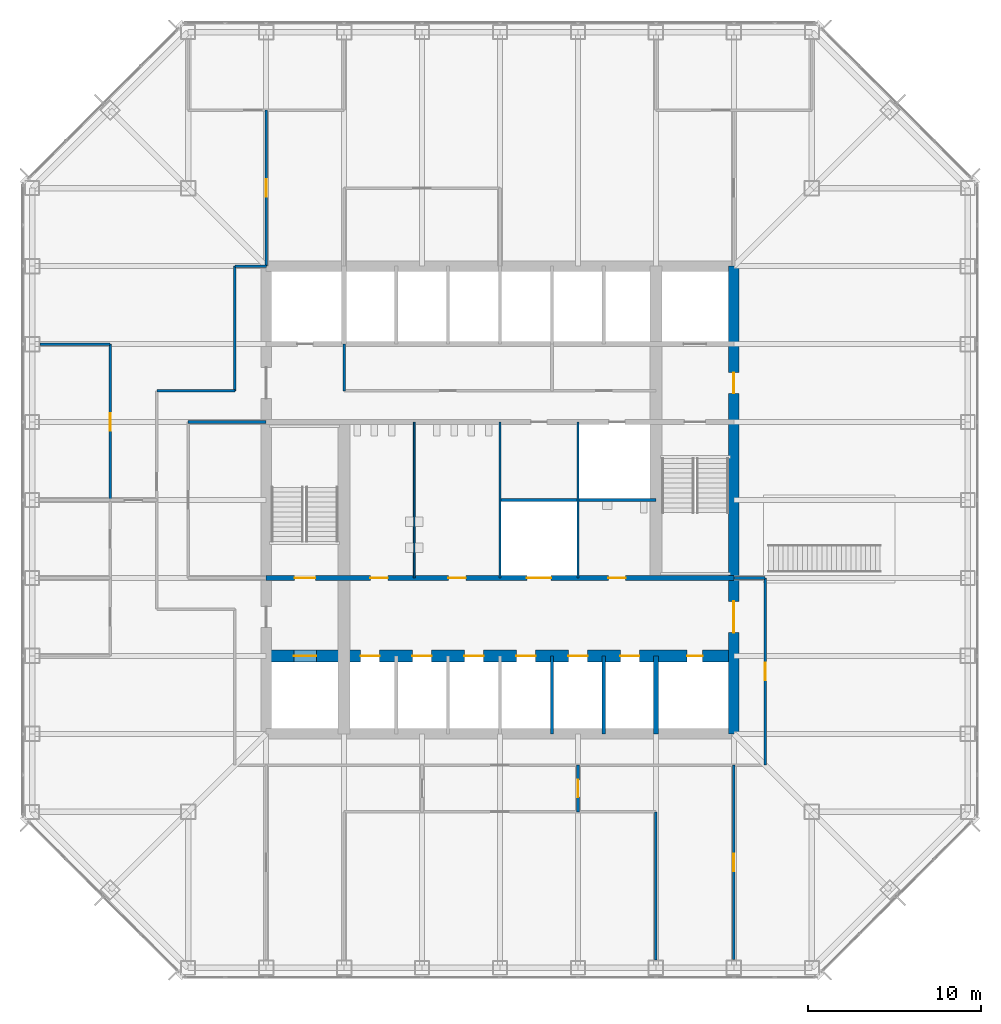
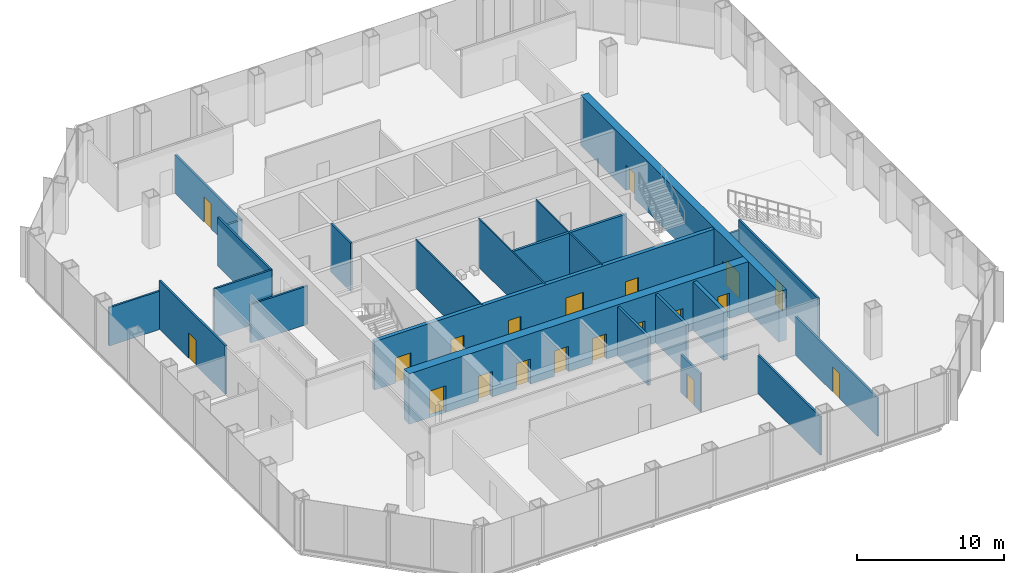
# One storey, part 9 of 12: 23 walls, 20 doors, 20 openings.
"""IFC4 building model written with IfcOpenShell, lengths in metres."""

import ifcopenshell
import ifcopenshell.guid

model = None  # the IFC model being written
_history = None  # IfcOwnerHistory: only IFC2X3 demands one
_inside = {}  # id of a spatial element -> (the spatial element, [elements in it])
_under = {}  # id of a project, library or spatial element -> (it, [spatial elements below it])
_declared = {}  # id of a project -> (the project, [libraries it declares])
_typed = {}  # id of a type object -> (the type object, [elements of that type])
_made_of = {}  # id of a material, layer set ... -> (it, [elements and type objects made of it])


def new_model(schema):
    """Start an empty IFC model of exactly this schema.

    Asked for "IFC4X3", IfcOpenShell would pick the latest addendum, in which some entities
    have other attributes; the version numbers below select the first issue.
    IFC2X3 requires an IfcOwnerHistory on every rooted entity: one is made here for all.
    """
    global model, _history
    if schema == "IFC4X3":
        model = ifcopenshell.file(schema_version=(4, 3, 0, 0))
    else:
        model = ifcopenshell.file(schema=schema)
    _inside.clear()
    _under.clear()
    _declared.clear()
    _typed.clear()
    _made_of.clear()
    _history = None
    if model.schema == "IFC2X3":
        org = make("IfcOrganization", Name="unknown")
        user = make(
            "IfcPersonAndOrganization",
            ThePerson=make("IfcPerson", FamilyName="unknown"),
            TheOrganization=org,
        )
        app = make(
            "IfcApplication",
            ApplicationDeveloper=org,
            Version="unknown",
            ApplicationFullName="unknown",
            ApplicationIdentifier="unknown",
        )
        _history = make(
            "IfcOwnerHistory",
            OwningUser=user,
            OwningApplication=app,
            ChangeAction="ADDED",
            CreationDate=0,
        )
    return model


def make(cls, **values):
    """One entity of the class cls with the attributes given. An attribute that is None is left unset."""
    return model.create_entity(
        cls, **{name: value for name, value in values.items() if value is not None}
    )


def rooted(cls, **values):
    """An entity with a GlobalId (a new one), such as an element, a storey or a relation."""
    return make(cls, GlobalId=ifcopenshell.guid.new(), OwnerHistory=_history, **values)


def si_unit(unit_type, name, prefix=None):
    """IfcSIUnit, for example si_unit("LENGTHUNIT", "METRE", prefix="MILLI")."""
    return make("IfcSIUnit", UnitType=unit_type, Prefix=prefix, Name=name)


def assignment(units):
    """IfcUnitAssignment: the units of a project."""
    return None if units is None else make("IfcUnitAssignment", Units=units)


def point(xyz):
    """IfcCartesianPoint."""
    return None if xyz is None else make("IfcCartesianPoint", Coordinates=xyz)


def direction(xyz):
    """IfcDirection."""
    return None if xyz is None else make("IfcDirection", DirectionRatios=xyz)


def frame(location, z_axis=None, x_axis=None):
    """IfcAxis2Placement3D, a coordinate frame: its origin and axes. An axis left out is left unset."""
    return make(
        "IfcAxis2Placement3D",
        Location=point(location),
        Axis=direction(z_axis),
        RefDirection=direction(x_axis),
    )


def frame_2d(location, x_axis=None):
    """IfcAxis2Placement2D, a coordinate frame in the plane: its origin and x axis."""
    return make(
        "IfcAxis2Placement2D", Location=point(location), RefDirection=direction(x_axis)
    )


def origin():
    """The frame at (0, 0, 0) with its axes left unset."""
    return frame((0.0, 0.0, 0.0))


def place(relative_to, where):
    """IfcLocalPlacement: puts the frame where relative to a parent placement (None: the world)."""
    return make(
        "IfcLocalPlacement", PlacementRelTo=relative_to, RelativePlacement=where
    )


def context(
    kind, dimensions, precision=None, world=None, true_north=None, identifier=None
):
    """IfcGeometricRepresentationContext, for example the 3D "Model" context."""
    return make(
        "IfcGeometricRepresentationContext",
        ContextIdentifier=identifier,
        ContextType=kind,
        CoordinateSpaceDimension=dimensions,
        Precision=precision,
        WorldCoordinateSystem=world,
        TrueNorth=true_north,
    )


def subcontext(parent, identifier, kind, view, scale=None):
    """IfcGeometricRepresentationSubContext, for example "Body" below "Model"."""
    return make(
        "IfcGeometricRepresentationSubContext",
        ContextIdentifier=identifier,
        ContextType=kind,
        ParentContext=parent,
        TargetScale=scale,
        TargetView=view,
    )


def project(units=None, contexts=None):
    """IfcProject with its units and contexts."""
    return rooted(
        "IfcProject",
        Name="project",
        RepresentationContexts=contexts,
        UnitsInContext=assignment(units),
    )


def spatial(cls, under=None, at=None, **own):
    """A site, building, storey or space (cls), placed at a placement, below another one or the project."""
    s = rooted(cls, ObjectPlacement=at, **own)
    if under is not None:
        _under.setdefault(under.id(), (under, []))[1].append(s)
    return s


def profile(cls, at=None, kind="AREA", **sizes):
    """A parametric profile (cls). Its sizes go by their IFC names, for example OverallWidth=200.0."""
    return make(cls, ProfileType=kind, Position=at, **sizes)


def rectangle(**sizes):
    """IfcRectangleProfileDef."""
    return profile("IfcRectangleProfileDef", **sizes)


def extrude(swept, where, along, depth):
    """IfcExtrudedAreaSolid: the profile swept, set in the frame where, extruded along a direction by depth."""
    return make(
        "IfcExtrudedAreaSolid",
        SweptArea=swept,
        Position=where,
        ExtrudedDirection=direction(along),
        Depth=depth,
    )


def shape(context_of_items, identifier, shape_type, items):
    """IfcShapeRepresentation: the items that make up one representation, for example the "Body"."""
    return make(
        "IfcShapeRepresentation",
        ContextOfItems=context_of_items,
        RepresentationIdentifier=identifier,
        RepresentationType=shape_type,
        Items=items,
    )


def material(Name=None, Category=None):
    """IfcMaterial."""
    return make("IfcMaterial", Name=Name, Category=Category)


def layer(
    of_material, thickness, ventilated=None, Name=None, Category=None, Priority=None
):
    """IfcMaterialLayer: one layer of a wall or slab, of a material (None: an air gap)."""
    return make(
        "IfcMaterialLayer",
        Material=of_material,
        LayerThickness=thickness,
        IsVentilated=ventilated,
        Name=Name,
        Category=Category,
        Priority=Priority,
    )


def layer_set(layers, Name=None):
    """IfcMaterialLayerSet."""
    return make("IfcMaterialLayerSet", MaterialLayers=layers, LayerSetName=Name)


def made_of(thing, what):
    """Note that an element or type object is made of a material, layer set ...; save() writes the relation."""
    if what is not None:
        _made_of.setdefault(what.id(), (what, []))[1].append(thing)
    return thing


def type_object(cls, material=None, **own):
    """A type object (cls), such as IfcWallType, which elements share."""
    return made_of(rooted(cls, **own), material)


def element(
    cls,
    number,
    at=None,
    inside=None,
    cuts=None,
    type_object=None,
    material=None,
    context=None,
    identifier="Body",
    shape_type=None,
    held_by="IfcProductDefinitionShape",
    body=None,
    shapes=None,
    **own,
):
    """One element of the class cls, such as IfcWall. Its Tag is "e" and its number.

    at: its placement. inside: the storey or other place that contains it. cuts: it is an
    opening in that element (IfcRelVoidsElement). A single representation is given by context,
    identifier, shape_type and body (its items); several are given by shapes. held_by: the class
    of the entity that holds the representations. save() writes the other relations.
    """
    e = rooted(cls, Tag="e%d" % number, ObjectPlacement=at, **own)
    if body is not None:
        shapes = [shape(context, identifier, shape_type, body)]
    if shapes is not None:
        e.Representation = make(held_by, Representations=shapes)
    if inside is not None:
        _inside.setdefault(inside.id(), (inside, []))[1].append(e)
    if cuts is not None:
        rooted(
            "IfcRelVoidsElement", RelatingBuildingElement=cuts, RelatedOpeningElement=e
        )
    if type_object is not None:
        _typed.setdefault(type_object.id(), (type_object, []))[1].append(e)
    return made_of(e, material)


def fill(opening, filler):
    """IfcRelFillsElement: the door or window that sits in an opening."""
    return rooted(
        "IfcRelFillsElement",
        RelatingOpeningElement=opening,
        RelatedBuildingElement=filler,
    )


def aggregate(whole, parts):
    """IfcRelAggregates: a whole, such as a stair, and the parts it consists of."""
    return rooted("IfcRelAggregates", RelatingObject=whole, RelatedObjects=parts)


def save(model, path):
    """Write the relations noted so far, then the file.

    IfcRelAggregates (storeys below a building ...), IfcRelContainedInSpatialStructure (elements
    in a storey), IfcRelDefinesByType, IfcRelAssociatesMaterial and IfcRelDeclares: one each for
    every whole, place, type object, material and project.
    """
    for whole, parts in _under.values():
        aggregate(whole, parts)
    for where, things in _inside.values():
        rooted(
            "IfcRelContainedInSpatialStructure",
            RelatedElements=things,
            RelatingStructure=where,
        )
    for kind, things in _typed.values():
        rooted("IfcRelDefinesByType", RelatedObjects=things, RelatingType=kind)
    for what, things in _made_of.values():
        rooted("IfcRelAssociatesMaterial", RelatedObjects=things, RelatingMaterial=what)
    for by, libraries in _declared.values():
        rooted("IfcRelDeclares", RelatingContext=by, RelatedDefinitions=libraries)
    model.write(path)


model = new_model("IFC4")

# Units and contexts
model_context = context("Model", 3, precision=1e-05, world=origin(), true_north=direction((0.0, 1.0)))
body_context = subcontext(model_context, "Body", "Model", "MODEL_VIEW")
ifc_project = project(units=[si_unit("LENGTHUNIT", "METRE"), si_unit("AREAUNIT", "SQUARE_METRE"), si_unit("VOLUMEUNIT", "CUBIC_METRE"), si_unit("PLANEANGLEUNIT", "RADIAN"), si_unit("MASSUNIT", "GRAM", prefix="KILO")], contexts=[model_context])

# Site, building, storey
site_placement = place(None, origin())
site = spatial("IfcSite", under=ifc_project, at=site_placement, CompositionType="ELEMENT")
building_placement = place(site_placement, origin())
building = spatial("IfcBuilding", under=site, at=building_placement, Name="Corais Broadcast Tower", CompositionType="ELEMENT")
storey_placement = place(building_placement, frame((0.0, 0.0, 29.0)))
storey = spatial("IfcBuildingStorey", under=building, at=storey_placement, Name="L05", CompositionType="ELEMENT", Elevation=29.0)

# Wall
ifc_material_1 = material(Name="Concrete blockwork class A, grouted, two-hour", Category="masonry")
ifc_layer_1 = layer(ifc_material_1, 0.300048828125)
ifc_layer_set_1 = layer_set([ifc_layer_1], Name="Concrete blockwork class A, grouted, two-hour")
wall_type_1 = type_object("IfcWallType", Name="Core lobby wall 300", PredefinedType="SOLIDWALL", material=ifc_layer_set_1)
wall_1_placement = place(storey_placement, frame((36.0, 13.5, 0.0), z_axis=(0.0, 0.0, 1.0), x_axis=(0.0, 1.0, 0.0)))
element("IfcWall", 1, at=wall_1_placement, inside=storey, type_object=wall_type_1, Name="CL1 core shaft wall X36A L05", PredefinedType="SOLIDWALL", context=body_context, shape_type="SweptSolid", body=[
    extrude(rectangle(XDim=4.5, YDim=0.300048828125, at=frame_2d((2.25, 0.0))), origin(), (0.0, 0.0, 1.0), 4.0400390625),
])

# Wall, openings, doors
wall_2_placement = place(storey_placement, frame((13.5, 22.5, 0.0), z_axis=(0.0, 0.0, 1.0), x_axis=(1.0, 0.0, 0.0)))
wall_2 = element("IfcWall", 2, at=wall_2_placement, inside=storey, type_object=wall_type_1, Name="CL1 core lobby wall Y225 L05", PredefinedType="SOLIDWALL", context=body_context, shape_type="SweptSolid", body=[
    extrude(rectangle(XDim=27.0, YDim=0.300048828125, at=frame_2d((13.5, 0.0))), origin(), (0.0, 0.0, 1.0), 4.0400390625),
])
opening_1_placement = place(wall_2_placement, frame((1.64990234375, 0.0, 0.0)))
opening_1 = element("IfcOpeningElement", 3, at=opening_1_placement, cuts=wall_2, Name="Opening FD1", PredefinedType="OPENING", context=body_context, shape_type="SweptSolid", body=[
    extrude(rectangle(XDim=1.199951171875, YDim=2.10009765625, at=frame_2d((0.60009765625, 1.050048828125))), frame((0.0, 0.159912109375, 0.0), z_axis=(0.0, -1.0, 0.0), x_axis=(1.0, 0.0, 0.0)), (0.0, 0.0, 1.0), 0.320068359375),
])
opening_2_placement = place(wall_2_placement, frame((6.02490234375, 0.0, 0.0)))
opening_2 = element("IfcOpeningElement", 4, at=opening_2_placement, cuts=wall_2, Name="Opening WD1", PredefinedType="OPENING", context=body_context, shape_type="SweptSolid", body=[
    extrude(rectangle(XDim=1.0, YDim=2.10009765625, at=frame_2d((0.5, 1.050048828125))), frame((0.0, 0.159912109375, 0.0), z_axis=(0.0, -1.0, 0.0), x_axis=(1.0, 0.0, 0.0)), (0.0, 0.0, 1.0), 0.320068359375),
])
opening_3_placement = place(wall_2_placement, frame((10.52490234375, 0.0, 0.0)))
opening_3 = element("IfcOpeningElement", 5, at=opening_3_placement, cuts=wall_2, Name="Opening WD1", PredefinedType="OPENING", context=body_context, shape_type="SweptSolid", body=[
    extrude(rectangle(XDim=1.0, YDim=2.10009765625, at=frame_2d((0.5, 1.050048828125))), frame((0.0, 0.159912109375, 0.0), z_axis=(0.0, -1.0, 0.0), x_axis=(1.0, 0.0, 0.0)), (0.0, 0.0, 1.0), 0.320068359375),
])
opening_4_placement = place(wall_2_placement, frame((19.75, 0.0, 0.0)))
opening_4 = element("IfcOpeningElement", 6, at=opening_4_placement, cuts=wall_2, Name="Opening WD1", PredefinedType="OPENING", context=body_context, shape_type="SweptSolid", body=[
    extrude(rectangle(XDim=1.0, YDim=2.10009765625, at=frame_2d((0.5, 1.050048828125))), frame((0.0, 0.159912109375, 0.0), z_axis=(0.0, -1.0, 0.0), x_axis=(1.0, 0.0, 0.0)), (0.0, 0.0, 1.0), 0.320068359375),
])
opening_5_placement = place(wall_2_placement, frame((15.050048828125, 0.0, 0.0)))
opening_5 = element("IfcOpeningElement", 7, at=opening_5_placement, cuts=wall_2, Name="Opening LD3", PredefinedType="OPENING", context=body_context, shape_type="SweptSolid", body=[
    extrude(rectangle(XDim=1.39990234375, YDim=2.39990234375, at=frame_2d((0.699951171875, 1.199951171875))), frame((0.0, 0.159912109375, 0.0), z_axis=(0.0, -1.0, 0.0), x_axis=(1.0, 0.0, 0.0)), (0.0, 0.0, 1.0), 0.320068359375),
])
ifc_material_2 = material(Name="Steel fire door", Category="steel")
door_type_1 = type_object("IfcDoorType", Name="Fire door 1200x2100", OperationType="SINGLE_SWING_LEFT", PredefinedType="DOOR", material=ifc_material_2)
door_1_placement = place(opening_1_placement, origin())
door_1 = element("IfcDoor", 8, at=door_1_placement, inside=storey, type_object=door_type_1, Name="FD1 stair A door L05", OperationType="SINGLE_SWING_LEFT", OverallHeight=2.10009765625, OverallWidth=1.199951171875, PredefinedType="DOOR", context=body_context, shape_type="SweptSolid", body=[
    extrude(rectangle(XDim=1.199951171875, YDim=2.10009765625, at=frame_2d((0.60009765625, 1.050048828125))), frame((0.0, 0.02490234375, 0.0), z_axis=(0.0, -1.0, 0.0), x_axis=(1.0, 0.0, 0.0)), (0.0, 0.0, 1.0), 0.050048828125),
])
fill(opening_1, door_1)
ifc_material_3 = material(Name="Stainless steel lift door", Category="steel")
door_type_2 = type_object("IfcDoorType", Name="Service lift landing door 1400x2400", OperationType="SLIDING_TO_LEFT", PredefinedType="DOOR", material=ifc_material_3)
door_2_placement = place(opening_5_placement, origin())
door_2 = element("IfcDoor", 9, at=door_2_placement, inside=storey, type_object=door_type_2, Name="LD3 SL1 landing door L05", OperationType="SLIDING_TO_LEFT", OverallHeight=2.39990234375, OverallWidth=1.39990234375, PredefinedType="DOOR", context=body_context, shape_type="SweptSolid", body=[
    extrude(rectangle(XDim=1.39990234375, YDim=2.39990234375, at=frame_2d((0.699951171875, 1.199951171875))), frame((0.0, 0.02490234375, 0.0), z_axis=(0.0, -1.0, 0.0), x_axis=(1.0, 0.0, 0.0)), (0.0, 0.0, 1.0), 0.050048828125),
])
fill(opening_5, door_2)
ifc_material_4 = material(Name="Timber door", Category="wood")
door_type_3 = type_object("IfcDoorType", Name="Toilet door 1000x2100", OperationType="SINGLE_SWING_LEFT", PredefinedType="DOOR", material=ifc_material_4)
door_3_placement = place(opening_2_placement, origin())
door_3 = element("IfcDoor", 10, at=door_3_placement, inside=storey, type_object=door_type_3, Name="WD1 WC male door L05", OperationType="SINGLE_SWING_LEFT", OverallHeight=2.10009765625, OverallWidth=1.0, PredefinedType="DOOR", context=body_context, shape_type="SweptSolid", body=[
    extrude(rectangle(XDim=1.0, YDim=2.10009765625, at=frame_2d((0.5, 1.050048828125))), frame((0.0, 0.02490234375, 0.0), z_axis=(0.0, -1.0, 0.0), x_axis=(1.0, 0.0, 0.0)), (0.0, 0.0, 1.0), 0.050048828125),
])
fill(opening_2, door_3)
door_4_placement = place(opening_3_placement, origin())
door_4 = element("IfcDoor", 11, at=door_4_placement, inside=storey, type_object=door_type_3, Name="WD1 WC female door L05", OperationType="SINGLE_SWING_LEFT", OverallHeight=2.10009765625, OverallWidth=1.0, PredefinedType="DOOR", context=body_context, shape_type="SweptSolid", body=[
    extrude(rectangle(XDim=1.0, YDim=2.10009765625, at=frame_2d((0.5, 1.050048828125))), frame((0.0, 0.02490234375, 0.0), z_axis=(0.0, -1.0, 0.0), x_axis=(1.0, 0.0, 0.0)), (0.0, 0.0, 1.0), 0.050048828125),
])
fill(opening_3, door_4)
door_5_placement = place(opening_4_placement, origin())
door_5 = element("IfcDoor", 12, at=door_5_placement, inside=storey, type_object=door_type_3, Name="WD1 accessible WC door L05", OperationType="SINGLE_SWING_RIGHT", OverallHeight=2.10009765625, OverallWidth=1.0, PredefinedType="DOOR", context=body_context, shape_type="SweptSolid", body=[
    extrude(rectangle(XDim=1.0, YDim=2.10009765625, at=frame_2d((0.5, 1.050048828125))), frame((0.0, 0.02490234375, 0.0), z_axis=(0.0, -1.0, 0.0), x_axis=(1.0, 0.0, 0.0)), (0.0, 0.0, 1.0), 0.050048828125),
])
fill(opening_4, door_5)

ifc_material_5 = material(Name="Concrete C50/60", Category="concrete")
ifc_layer_2 = layer(ifc_material_5, 0.699951171875)
ifc_layer_set_2 = layer_set([ifc_layer_2], Name="Concrete C50/60")
wall_type_2 = type_object("IfcWallType", Name="Core spine wall 700", PredefinedType="SHEAR", material=ifc_layer_set_2)
wall_3_placement = place(storey_placement, frame((13.5, 18.0, 0.0), z_axis=(0.0, 0.0, 1.0), x_axis=(1.0, 0.0, 0.0)))
wall_3 = element("IfcWall", 13, at=wall_3_placement, inside=storey, type_object=wall_type_2, Name="CR700 core wall Y18 L05", PredefinedType="SHEAR", context=body_context, shape_type="SweptSolid", body=[
    extrude(rectangle(XDim=27.0, YDim=0.699951171875, at=frame_2d((13.5, 0.0))), origin(), (0.0, 0.0, 1.0), 4.199951171875),
])
opening_6_placement = place(wall_3_placement, frame((24.300048828125, 0.0, 0.0)))
opening_6 = element("IfcOpeningElement", 14, at=opening_6_placement, cuts=wall_3, Name="Opening RD1", PredefinedType="OPENING", context=body_context, shape_type="SweptSolid", body=[
    extrude(rectangle(XDim=0.89990234375, YDim=2.10009765625, at=frame_2d((0.449951171875, 1.050048828125))), frame((0.0, 0.35986328125, 0.0), z_axis=(0.0, -1.0, 0.0), x_axis=(1.0, 0.0, 0.0)), (0.0, 0.0, 1.0), 0.719970703125),
])
opening_7_placement = place(wall_3_placement, frame((5.449951171875, 0.0, 0.0)))
opening_7 = element("IfcOpeningElement", 15, at=opening_7_placement, cuts=wall_3, Name="Opening LD1", PredefinedType="OPENING", context=body_context, shape_type="SweptSolid", body=[
    extrude(rectangle(XDim=1.10009765625, YDim=2.10009765625, at=frame_2d((0.550048828125, 1.050048828125))), frame((0.0, 0.35986328125, 0.0), z_axis=(0.0, -1.0, 0.0), x_axis=(1.0, 0.0, 0.0)), (0.0, 0.0, 1.0), 0.719970703125),
])
opening_8_placement = place(wall_3_placement, frame((8.449951171875, 0.0, 0.0)))
opening_8 = element("IfcOpeningElement", 16, at=opening_8_placement, cuts=wall_3, Name="Opening LD1", PredefinedType="OPENING", context=body_context, shape_type="SweptSolid", body=[
    extrude(rectangle(XDim=1.10009765625, YDim=2.10009765625, at=frame_2d((0.550048828125, 1.050048828125))), frame((0.0, 0.35986328125, 0.0), z_axis=(0.0, -1.0, 0.0), x_axis=(1.0, 0.0, 0.0)), (0.0, 0.0, 1.0), 0.719970703125),
])
opening_9_placement = place(wall_3_placement, frame((11.449951171875, 0.0, 0.0)))
opening_9 = element("IfcOpeningElement", 17, at=opening_9_placement, cuts=wall_3, Name="Opening LD1", PredefinedType="OPENING", context=body_context, shape_type="SweptSolid", body=[
    extrude(rectangle(XDim=1.10009765625, YDim=2.10009765625, at=frame_2d((0.550048828125, 1.050048828125))), frame((0.0, 0.35986328125, 0.0), z_axis=(0.0, -1.0, 0.0), x_axis=(1.0, 0.0, 0.0)), (0.0, 0.0, 1.0), 0.719970703125),
])
opening_10_placement = place(wall_3_placement, frame((14.449951171875, 0.0, 0.0)))
opening_10 = element("IfcOpeningElement", 18, at=opening_10_placement, cuts=wall_3, Name="Opening LD1", PredefinedType="OPENING", context=body_context, shape_type="SweptSolid", body=[
    extrude(rectangle(XDim=1.10009765625, YDim=2.10009765625, at=frame_2d((0.550048828125, 1.050048828125))), frame((0.0, 0.35986328125, 0.0), z_axis=(0.0, -1.0, 0.0), x_axis=(1.0, 0.0, 0.0)), (0.0, 0.0, 1.0), 0.719970703125),
])
opening_11_placement = place(wall_3_placement, frame((17.449951171875, 0.0, 0.0)))
opening_11 = element("IfcOpeningElement", 19, at=opening_11_placement, cuts=wall_3, Name="Opening LD1", PredefinedType="OPENING", context=body_context, shape_type="SweptSolid", body=[
    extrude(rectangle(XDim=1.10009765625, YDim=2.10009765625, at=frame_2d((0.550048828125, 1.050048828125))), frame((0.0, 0.35986328125, 0.0), z_axis=(0.0, -1.0, 0.0), x_axis=(1.0, 0.0, 0.0)), (0.0, 0.0, 1.0), 0.719970703125),
])
opening_12_placement = place(wall_3_placement, frame((20.449951171875, 0.0, 0.0)))
opening_12 = element("IfcOpeningElement", 20, at=opening_12_placement, cuts=wall_3, Name="Opening LD1", PredefinedType="OPENING", context=body_context, shape_type="SweptSolid", body=[
    extrude(rectangle(XDim=1.10009765625, YDim=2.10009765625, at=frame_2d((0.550048828125, 1.050048828125))), frame((0.0, 0.35986328125, 0.0), z_axis=(0.0, -1.0, 0.0), x_axis=(1.0, 0.0, 0.0)), (0.0, 0.0, 1.0), 0.719970703125),
])
opening_13_placement = place(wall_3_placement, frame((1.60009765625, 0.0, 0.0)))
opening_13 = element("IfcOpeningElement", 21, at=opening_13_placement, cuts=wall_3, Name="Opening LD2", PredefinedType="OPENING", context=body_context, shape_type="SweptSolid", body=[
    extrude(rectangle(XDim=1.300048828125, YDim=2.199951171875, at=frame_2d((0.64990234375, 1.10009765625))), frame((0.0, 0.35986328125, 0.0), z_axis=(0.0, -1.0, 0.0), x_axis=(1.0, 0.0, 0.0)), (0.0, 0.0, 1.0), 0.719970703125),
])
ifc_material_6 = material(Name="Stainless steel lift door", Category="steel")
door_type_4 = type_object("IfcDoorType", Name="Lift landing door 1100x2100", OperationType="SLIDING_TO_LEFT", PredefinedType="DOOR", material=ifc_material_6)
door_6_placement = place(opening_7_placement, origin())
door_6 = element("IfcDoor", 22, at=door_6_placement, inside=storey, type_object=door_type_4, Name="LD1 PL1 landing door L05", OperationType="SLIDING_TO_LEFT", OverallHeight=2.10009765625, OverallWidth=1.10009765625, PredefinedType="DOOR", context=body_context, shape_type="SweptSolid", body=[
    extrude(rectangle(XDim=1.10009765625, YDim=2.10009765625, at=frame_2d((0.550048828125, 1.050048828125))), frame((0.0, 0.02490234375, 0.0), z_axis=(0.0, -1.0, 0.0), x_axis=(1.0, 0.0, 0.0)), (0.0, 0.0, 1.0), 0.050048828125),
])
fill(opening_7, door_6)
door_7_placement = place(opening_8_placement, origin())
door_7 = element("IfcDoor", 23, at=door_7_placement, inside=storey, type_object=door_type_4, Name="LD1 PL2 landing door L05", OperationType="SLIDING_TO_LEFT", OverallHeight=2.10009765625, OverallWidth=1.10009765625, PredefinedType="DOOR", context=body_context, shape_type="SweptSolid", body=[
    extrude(rectangle(XDim=1.10009765625, YDim=2.10009765625, at=frame_2d((0.550048828125, 1.050048828125))), frame((0.0, 0.02490234375, 0.0), z_axis=(0.0, -1.0, 0.0), x_axis=(1.0, 0.0, 0.0)), (0.0, 0.0, 1.0), 0.050048828125),
])
fill(opening_8, door_7)
door_8_placement = place(opening_9_placement, origin())
door_8 = element("IfcDoor", 24, at=door_8_placement, inside=storey, type_object=door_type_4, Name="LD1 PL3 landing door L05", OperationType="SLIDING_TO_LEFT", OverallHeight=2.10009765625, OverallWidth=1.10009765625, PredefinedType="DOOR", context=body_context, shape_type="SweptSolid", body=[
    extrude(rectangle(XDim=1.10009765625, YDim=2.10009765625, at=frame_2d((0.550048828125, 1.050048828125))), frame((0.0, 0.02490234375, 0.0), z_axis=(0.0, -1.0, 0.0), x_axis=(1.0, 0.0, 0.0)), (0.0, 0.0, 1.0), 0.050048828125),
])
fill(opening_9, door_8)
door_9_placement = place(opening_10_placement, origin())
door_9 = element("IfcDoor", 25, at=door_9_placement, inside=storey, type_object=door_type_4, Name="LD1 PL4 landing door L05", OperationType="SLIDING_TO_LEFT", OverallHeight=2.10009765625, OverallWidth=1.10009765625, PredefinedType="DOOR", context=body_context, shape_type="SweptSolid", body=[
    extrude(rectangle(XDim=1.10009765625, YDim=2.10009765625, at=frame_2d((0.550048828125, 1.050048828125))), frame((0.0, 0.02490234375, 0.0), z_axis=(0.0, -1.0, 0.0), x_axis=(1.0, 0.0, 0.0)), (0.0, 0.0, 1.0), 0.050048828125),
])
fill(opening_10, door_9)
door_10_placement = place(opening_11_placement, origin())
door_10 = element("IfcDoor", 26, at=door_10_placement, inside=storey, type_object=door_type_4, Name="LD1 PL5 landing door L05", OperationType="SLIDING_TO_LEFT", OverallHeight=2.10009765625, OverallWidth=1.10009765625, PredefinedType="DOOR", context=body_context, shape_type="SweptSolid", body=[
    extrude(rectangle(XDim=1.10009765625, YDim=2.10009765625, at=frame_2d((0.550048828125, 1.050048828125))), frame((0.0, 0.02490234375, 0.0), z_axis=(0.0, -1.0, 0.0), x_axis=(1.0, 0.0, 0.0)), (0.0, 0.0, 1.0), 0.050048828125),
])
fill(opening_11, door_10)
door_11_placement = place(opening_12_placement, origin())
door_11 = element("IfcDoor", 27, at=door_11_placement, inside=storey, type_object=door_type_4, Name="LD1 PL6 landing door L05", OperationType="SLIDING_TO_LEFT", OverallHeight=2.10009765625, OverallWidth=1.10009765625, PredefinedType="DOOR", context=body_context, shape_type="SweptSolid", body=[
    extrude(rectangle(XDim=1.10009765625, YDim=2.10009765625, at=frame_2d((0.550048828125, 1.050048828125))), frame((0.0, 0.02490234375, 0.0), z_axis=(0.0, -1.0, 0.0), x_axis=(1.0, 0.0, 0.0)), (0.0, 0.0, 1.0), 0.050048828125),
])
fill(opening_12, door_11)
ifc_material_7 = material(Name="Stainless steel lift door", Category="steel")
door_type_5 = type_object("IfcDoorType", Name="Lift landing door 1300x2200", OperationType="SLIDING_TO_LEFT", PredefinedType="DOOR", material=ifc_material_7)
door_12_placement = place(opening_13_placement, origin())
door_12 = element("IfcDoor", 28, at=door_12_placement, inside=storey, type_object=door_type_5, Name="LD2 FL1 landing door L05", OperationType="SLIDING_TO_LEFT", OverallHeight=2.199951171875, OverallWidth=1.300048828125, PredefinedType="DOOR", context=body_context, shape_type="SweptSolid", body=[
    extrude(rectangle(XDim=1.300048828125, YDim=2.199951171875, at=frame_2d((0.64990234375, 1.10009765625))), frame((0.0, 0.02490234375, 0.0), z_axis=(0.0, -1.0, 0.0), x_axis=(1.0, 0.0, 0.0)), (0.0, 0.0, 1.0), 0.050048828125),
])
fill(opening_13, door_12)
ifc_material_8 = material(Name="Steel fire door", Category="steel")
door_type_6 = type_object("IfcDoorType", Name="Riser door 900x2100", OperationType="SINGLE_SWING_LEFT", PredefinedType="DOOR", material=ifc_material_8)
door_13_placement = place(opening_6_placement, origin())
door_13 = element("IfcDoor", 29, at=door_13_placement, inside=storey, type_object=door_type_6, Name="RD1 riser door L05", OperationType="SINGLE_SWING_RIGHT", OverallHeight=2.10009765625, OverallWidth=0.89990234375, PredefinedType="DOOR", context=body_context, shape_type="SweptSolid", body=[
    extrude(rectangle(XDim=0.89990234375, YDim=2.10009765625, at=frame_2d((0.449951171875, 1.050048828125))), frame((0.0, 0.02490234375, 0.0), z_axis=(0.0, -1.0, 0.0), x_axis=(1.0, 0.0, 0.0)), (0.0, 0.0, 1.0), 0.050048828125),
])
fill(opening_6, door_13)

ifc_material_9 = material(Name="Concrete C50/60", Category="concrete")
ifc_layer_3 = layer(ifc_material_9, 0.60009765625)
ifc_layer_set_3 = layer_set([ifc_layer_3], Name="Concrete C50/60")
wall_type_3 = type_object("IfcWallType", Name="Core wall 600", PredefinedType="SHEAR", material=ifc_layer_set_3)
wall_4_placement = place(storey_placement, frame((40.5, 13.5, 0.0), z_axis=(0.0, 0.0, 1.0), x_axis=(0.0, 1.0, 0.0)))
wall_4 = element("IfcWall", 30, at=wall_4_placement, inside=storey, type_object=wall_type_3, Name="CR600 core wall E L05", PredefinedType="SHEAR", context=body_context, shape_type="SweptSolid", body=[
    extrude(rectangle(XDim=27.0, YDim=0.60009765625, at=frame_2d((13.5, 0.0))), origin(), (0.0, 0.0, 1.0), 4.199951171875),
])
opening_14_placement = place(wall_4_placement, frame((5.85009765625, 0.0, 0.0)))
opening_14 = element("IfcOpeningElement", 31, at=opening_14_placement, cuts=wall_4, Name="Opening FD2", PredefinedType="OPENING", context=body_context, shape_type="SweptSolid", body=[
    extrude(rectangle(XDim=1.800048828125, YDim=2.10009765625, at=frame_2d((0.89990234375, 1.050048828125))), frame((0.0, 0.31005859375, 0.0), z_axis=(0.0, -1.0, 0.0), x_axis=(1.0, 0.0, 0.0)), (0.0, 0.0, 1.0), 0.6201171875),
])
opening_15_placement = place(wall_4_placement, frame((19.64990234375, 0.0, 0.0)))
opening_15 = element("IfcOpeningElement", 32, at=opening_15_placement, cuts=wall_4, Name="Opening FD1", PredefinedType="OPENING", context=body_context, shape_type="SweptSolid", body=[
    extrude(rectangle(XDim=1.199951171875, YDim=2.10009765625, at=frame_2d((0.60009765625, 1.050048828125))), frame((0.0, 0.31005859375, 0.0), z_axis=(0.0, -1.0, 0.0), x_axis=(1.0, 0.0, 0.0)), (0.0, 0.0, 1.0), 0.6201171875),
])
door_14_placement = place(opening_15_placement, origin())
door_14 = element("IfcDoor", 33, at=door_14_placement, inside=storey, type_object=door_type_1, Name="FD1 fire lobby B door L05", OperationType="SINGLE_SWING_RIGHT", OverallHeight=2.10009765625, OverallWidth=1.199951171875, PredefinedType="DOOR", context=body_context, shape_type="SweptSolid", body=[
    extrude(rectangle(XDim=1.199951171875, YDim=2.10009765625, at=frame_2d((0.60009765625, 1.050048828125))), frame((0.0, 0.02490234375, 0.0), z_axis=(0.0, -1.0, 0.0), x_axis=(1.0, 0.0, 0.0)), (0.0, 0.0, 1.0), 0.050048828125),
])
fill(opening_15, door_14)
ifc_material_10 = material(Name="Steel fire door", Category="steel")
door_type_7 = type_object("IfcDoorType", Name="Fire door pair 1800x2100", OperationType="DOUBLE_DOOR_SINGLE_SWING", PredefinedType="DOOR", material=ifc_material_10)
door_15_placement = place(opening_14_placement, origin())
door_15 = element("IfcDoor", 34, at=door_15_placement, inside=storey, type_object=door_type_7, Name="FD2 lift lobby door L05", OperationType="SINGLE_SWING_LEFT", OverallHeight=2.10009765625, OverallWidth=1.800048828125, PredefinedType="DOOR", context=body_context, shape_type="SweptSolid", body=[
    extrude(rectangle(XDim=1.800048828125, YDim=2.10009765625, at=frame_2d((0.89990234375, 1.050048828125))), frame((0.0, 0.02490234375, 0.0), z_axis=(0.0, -1.0, 0.0), x_axis=(1.0, 0.0, 0.0)), (0.0, 0.0, 1.0), 0.050048828125),
])
fill(opening_14, door_15)

# Wall
ifc_material_11 = material(Name="Two layers of fire-rated gypsum board each side on steel studs", Category="steel")
ifc_layer_4 = layer(ifc_material_11, 0.14990234375)
ifc_layer_set_4 = layer_set([ifc_layer_4], Name="Two layers of fire-rated gypsum board each side on steel studs")
wall_type_4 = type_object("IfcWallType", Name="Fire-rated partition 150 EI 60", PredefinedType="PARTITIONING", material=ifc_layer_set_4)
wall_5_placement = place(storey_placement, frame((18.0, 33.300048828125, 0.0), z_axis=(0.0, 0.0, 1.0), x_axis=(0.0, 1.0, 0.0)))
element("IfcWall", 35, at=wall_5_placement, inside=storey, type_object=wall_type_4, Name="IW7 partition L05", PredefinedType="PARTITIONING", context=body_context, shape_type="SweptSolid", body=[
    extrude(rectangle(XDim=2.699951171875, YDim=0.14990234375, at=frame_2d((1.35009765625, 0.0))), origin(), (0.0, 0.0, 1.0), 4.0400390625),
])

# Wall, opening, door
ifc_material_12 = material(Name="Gypsum board on steel studs", Category="steel")
ifc_layer_5 = layer(ifc_material_12, 0.14990234375)
ifc_layer_set_5 = layer_set([ifc_layer_5], Name="Gypsum board on steel studs")
wall_type_5 = type_object("IfcWallType", Name="Partition 150", PredefinedType="PARTITIONING", material=ifc_layer_set_5)
wall_6_placement = place(storey_placement, frame((42.300048828125, 11.699951171875, 0.0), z_axis=(0.0, 0.0, 1.0), x_axis=(0.0, 1.0, 0.0)))
wall_6 = element("IfcWall", 36, at=wall_6_placement, inside=storey, type_object=wall_type_5, Name="IW3 corridor wall L05", PredefinedType="PARTITIONING", context=body_context, shape_type="SweptSolid", body=[
    extrude(rectangle(XDim=10.800048828125, YDim=0.14990234375, at=frame_2d((5.39990234375, 0.0))), origin(), (0.0, 0.0, 1.0), 4.0400390625),
])
opening_16_placement = place(wall_6_placement, frame((4.89990234375, 0.0, 0.0)))
opening_16 = element("IfcOpeningElement", 37, at=opening_16_placement, cuts=wall_6, Name="Opening D1", PredefinedType="OPENING", context=body_context, shape_type="SweptSolid", body=[
    extrude(rectangle(XDim=1.0, YDim=2.10009765625, at=frame_2d((0.5, 1.050048828125))), frame((0.0, 0.0849609375, 0.0), z_axis=(0.0, -1.0, 0.0), x_axis=(1.0, 0.0, 0.0)), (0.0, 0.0, 1.0), 0.169921875),
])
ifc_material_13 = material(Name="Timber door", Category="wood")
door_type_8 = type_object("IfcDoorType", Name="Single door 1000x2100", OperationType="SINGLE_SWING_LEFT", PredefinedType="DOOR", material=ifc_material_13)
door_16_placement = place(opening_16_placement, origin())
door_16 = element("IfcDoor", 38, at=door_16_placement, inside=storey, type_object=door_type_8, Name="D1 workplace door L05", OperationType="SINGLE_SWING_LEFT", OverallHeight=2.10009765625, OverallWidth=1.0, PredefinedType="DOOR", context=body_context, shape_type="SweptSolid", body=[
    extrude(rectangle(XDim=1.0, YDim=2.10009765625, at=frame_2d((0.5, 1.050048828125))), frame((0.0, 0.02490234375, 0.0), z_axis=(0.0, -1.0, 0.0), x_axis=(1.0, 0.0, 0.0)), (0.0, 0.0, 1.0), 0.050048828125),
])
fill(opening_16, door_16)

# Walls
wall_7_placement = place(storey_placement, frame((11.699951171875, 40.5, 0.0), z_axis=(0.0, 0.0, 1.0), x_axis=(0.0, -1.0, 0.0)))
element("IfcWall", 39, at=wall_7_placement, inside=storey, type_object=wall_type_5, Name="IW3 corridor wall L05", PredefinedType="PARTITIONING", context=body_context, shape_type="SweptSolid", body=[
    extrude(rectangle(XDim=7.199951171875, YDim=0.14990234375, at=frame_2d((3.60009765625, 0.0))), origin(), (0.0, 0.0, 1.0), 4.0400390625),
])
wall_8_placement = place(storey_placement, frame((11.699951171875, 33.300048828125, 0.0), z_axis=(0.0, 0.0, 1.0), x_axis=(-1.0, 0.0, 0.0)))
element("IfcWall", 40, at=wall_8_placement, inside=storey, type_object=wall_type_5, Name="IW3 corridor wall L05", PredefinedType="PARTITIONING", context=body_context, shape_type="SweptSolid", body=[
    extrude(rectangle(XDim=4.5, YDim=0.14990234375, at=frame_2d((2.25, 0.0))), origin(), (0.0, 0.0, 1.0), 4.0400390625),
])
wall_9_placement = place(storey_placement, frame((13.510009765625, 40.5, 0.0), z_axis=(0.0, 0.0, 1.0), x_axis=(-1.0, 0.0, 0.0)))
element("IfcWall", 41, at=wall_9_placement, inside=storey, type_object=wall_type_5, Name="IW3 corridor wall L05", PredefinedType="PARTITIONING", context=body_context, shape_type="SweptSolid", body=[
    extrude(rectangle(XDim=1.81005859375, YDim=0.14990234375, at=frame_2d((0.905029296875, 0.0))), origin(), (0.0, 0.0, 1.0), 3.18896484375),
])
wall_10_placement = place(storey_placement, frame((42.300048828125, 22.5, 0.0), z_axis=(0.0, 0.0, 1.0), x_axis=(-1.0, 0.0, 0.0)))
element("IfcWall", 42, at=wall_10_placement, inside=storey, type_object=wall_type_5, Name="IW3 corridor wall L05", PredefinedType="PARTITIONING", context=body_context, shape_type="SweptSolid", body=[
    extrude(rectangle(XDim=1.800048828125, YDim=0.14990234375, at=frame_2d((0.89990234375, 0.0))), origin(), (0.0, 0.0, 1.0), 3.18896484375),
])
wall_11_placement = place(storey_placement, frame((36.0, 0.4599609375, 0.0), z_axis=(0.0, 0.0, 1.0), x_axis=(0.0, 1.0, 0.0)))
element("IfcWall", 43, at=wall_11_placement, inside=storey, type_object=wall_type_5, Name="IW3 partition L05", PredefinedType="PARTITIONING", context=body_context, shape_type="SweptSolid", body=[
    extrude(rectangle(XDim=8.5400390625, YDim=0.14990234375, at=frame_2d((4.27001953125, 0.0))), origin(), (0.0, 0.0, 1.0), 3.18896484375),
])

# Wall, opening, door
wall_12_placement = place(storey_placement, frame((4.5, 27.0, 0.0), z_axis=(0.0, 0.0, 1.0), x_axis=(0.0, 1.0, 0.0)))
wall_12 = element("IfcWall", 44, at=wall_12_placement, inside=storey, type_object=wall_type_5, Name="IW3 partition L05", PredefinedType="PARTITIONING", context=body_context, shape_type="SweptSolid", body=[
    extrude(rectangle(XDim=9.0, YDim=0.14990234375, at=frame_2d((4.5, 0.0))), origin(), (0.0, 0.0, 1.0), 4.0400390625),
])
opening_17_placement = place(wall_12_placement, frame((4.0, 0.0, 0.0)))
opening_17 = element("IfcOpeningElement", 45, at=opening_17_placement, cuts=wall_12, Name="Opening D1", PredefinedType="OPENING", context=body_context, shape_type="SweptSolid", body=[
    extrude(rectangle(XDim=1.0, YDim=2.10009765625, at=frame_2d((0.5, 1.050048828125))), frame((0.0, 0.0849609375, 0.0), z_axis=(0.0, -1.0, 0.0), x_axis=(1.0, 0.0, 0.0)), (0.0, 0.0, 1.0), 0.169921875),
])
door_17_placement = place(opening_17_placement, origin())
door_17 = element("IfcDoor", 46, at=door_17_placement, inside=storey, type_object=door_type_8, Name="D1 Planning desk office door", OperationType="SINGLE_SWING_LEFT", OverallHeight=2.10009765625, OverallWidth=1.0, PredefinedType="DOOR", context=body_context, shape_type="SweptSolid", body=[
    extrude(rectangle(XDim=1.0, YDim=2.10009765625, at=frame_2d((0.5, 1.050048828125))), frame((0.0, 0.02490234375, 0.0), z_axis=(0.0, -1.0, 0.0), x_axis=(1.0, 0.0, 0.0)), (0.0, 0.0, 1.0), 0.050048828125),
])
fill(opening_17, door_17)

# Walls
wall_13_placement = place(storey_placement, frame((4.5, 36.0, 0.0), z_axis=(0.0, 0.0, 1.0), x_axis=(-1.0, 0.0, 0.0)))
element("IfcWall", 47, at=wall_13_placement, inside=storey, type_object=wall_type_5, Name="IW3 partition L05", PredefinedType="PARTITIONING", context=body_context, shape_type="SweptSolid", body=[
    extrude(rectangle(XDim=4.0400390625, YDim=0.14990234375, at=frame_2d((2.02001953125, 0.0))), origin(), (0.0, 0.0, 1.0), 3.18896484375),
])
wall_14_placement = place(storey_placement, frame((13.5, 31.5, 0.0), z_axis=(0.0, 0.0, 1.0), x_axis=(-1.0, 0.0, 0.0)))
element("IfcWall", 48, at=wall_14_placement, inside=storey, type_object=wall_type_5, Name="IW3 partition L05", PredefinedType="PARTITIONING", context=body_context, shape_type="SweptSolid", body=[
    extrude(rectangle(XDim=4.5, YDim=0.14990234375, at=frame_2d((2.25, 0.0))), origin(), (0.0, 0.0, 1.0), 3.18896484375),
])

# Wall, opening, door
wall_15_placement = place(storey_placement, frame((13.5, 40.5, 0.0), z_axis=(0.0, 0.0, 1.0), x_axis=(0.0, 1.0, 0.0)))
wall_15 = element("IfcWall", 49, at=wall_15_placement, inside=storey, type_object=wall_type_5, Name="IW3 partition L05", PredefinedType="PARTITIONING", context=body_context, shape_type="SweptSolid", body=[
    extrude(rectangle(XDim=9.0, YDim=0.14990234375, at=frame_2d((4.5, 0.0))), origin(), (0.0, 0.0, 1.0), 3.18896484375),
])
opening_18_placement = place(wall_15_placement, frame((4.0, 0.0, 0.0)))
opening_18 = element("IfcOpeningElement", 50, at=opening_18_placement, cuts=wall_15, Name="Opening D1", PredefinedType="OPENING", context=body_context, shape_type="SweptSolid", body=[
    extrude(rectangle(XDim=1.0, YDim=2.10009765625, at=frame_2d((0.5, 1.050048828125))), frame((0.0, 0.0849609375, 0.0), z_axis=(0.0, -1.0, 0.0), x_axis=(1.0, 0.0, 0.0)), (0.0, 0.0, 1.0), 0.169921875),
])
door_18_placement = place(opening_18_placement, origin())
door_18 = element("IfcDoor", 51, at=door_18_placement, inside=storey, type_object=door_type_8, Name="D1 team room door L05", OperationType="SINGLE_SWING_LEFT", OverallHeight=2.10009765625, OverallWidth=1.0, PredefinedType="DOOR", context=body_context, shape_type="SweptSolid", body=[
    extrude(rectangle(XDim=1.0, YDim=2.10009765625, at=frame_2d((0.5, 1.050048828125))), frame((0.0, 0.02490234375, 0.0), z_axis=(0.0, -1.0, 0.0), x_axis=(1.0, 0.0, 0.0)), (0.0, 0.0, 1.0), 0.050048828125),
])
fill(opening_18, door_18)

wall_16_placement = place(storey_placement, frame((40.5, 0.469970703125, 0.0), z_axis=(0.0, 0.0, 1.0), x_axis=(0.0, 1.0, 0.0)))
wall_16 = element("IfcWall", 52, at=wall_16_placement, inside=storey, type_object=wall_type_5, Name="IW3 partition L05", PredefinedType="PARTITIONING", context=body_context, shape_type="SweptSolid", body=[
    extrude(rectangle(XDim=11.22998046875, YDim=0.14990234375, at=frame_2d((5.614990234375, 0.0))), origin(), (0.0, 0.0, 1.0), 3.18896484375),
])
opening_19_placement = place(wall_16_placement, frame((5.114990234375, 0.0, 0.0)))
opening_19 = element("IfcOpeningElement", 53, at=opening_19_placement, cuts=wall_16, Name="Opening D1", PredefinedType="OPENING", context=body_context, shape_type="SweptSolid", body=[
    extrude(rectangle(XDim=1.0, YDim=2.10009765625, at=frame_2d((0.5, 1.050048828125))), frame((0.0, 0.0849609375, 0.0), z_axis=(0.0, -1.0, 0.0), x_axis=(1.0, 0.0, 0.0)), (0.0, 0.0, 1.0), 0.169921875),
])
door_19_placement = place(opening_19_placement, origin())
door_19 = element("IfcDoor", 54, at=door_19_placement, inside=storey, type_object=door_type_8, Name="D1 team room door L05", OperationType="SINGLE_SWING_LEFT", OverallHeight=2.10009765625, OverallWidth=1.0, PredefinedType="DOOR", context=body_context, shape_type="SweptSolid", body=[
    extrude(rectangle(XDim=1.0, YDim=2.10009765625, at=frame_2d((0.5, 1.050048828125))), frame((0.0, 0.02490234375, 0.0), z_axis=(0.0, -1.0, 0.0), x_axis=(1.0, 0.0, 0.0)), (0.0, 0.0, 1.0), 0.050048828125),
])
fill(opening_19, door_19)

wall_17_placement = place(storey_placement, frame((31.5, 11.699951171875, 0.0), z_axis=(0.0, 0.0, 1.0), x_axis=(0.0, -1.0, 0.0)))
wall_17 = element("IfcWall", 55, at=wall_17_placement, inside=storey, type_object=wall_type_5, Name="IW3 partition L05", PredefinedType="PARTITIONING", context=body_context, shape_type="SweptSolid", body=[
    extrude(rectangle(XDim=2.699951171875, YDim=0.14990234375, at=frame_2d((1.35009765625, 0.0))), origin(), (0.0, 0.0, 1.0), 3.18896484375),
])
opening_20_placement = place(wall_17_placement, frame((0.85009765625, 0.0, 0.0)))
opening_20 = element("IfcOpeningElement", 56, at=opening_20_placement, cuts=wall_17, Name="Opening D1", PredefinedType="OPENING", context=body_context, shape_type="SweptSolid", body=[
    extrude(rectangle(XDim=1.0, YDim=2.10009765625, at=frame_2d((0.5, 1.050048828125))), frame((0.0, 0.0849609375, 0.0), z_axis=(0.0, -1.0, 0.0), x_axis=(1.0, 0.0, 0.0)), (0.0, 0.0, 1.0), 0.169921875),
])
door_20_placement = place(opening_20_placement, origin())
door_20 = element("IfcDoor", 57, at=door_20_placement, inside=storey, type_object=door_type_8, Name="D1 team room door L05", OperationType="SINGLE_SWING_LEFT", OverallHeight=2.10009765625, OverallWidth=1.0, PredefinedType="DOOR", context=body_context, shape_type="SweptSolid", body=[
    extrude(rectangle(XDim=1.0, YDim=2.10009765625, at=frame_2d((0.5, 1.050048828125))), frame((0.0, 0.02490234375, 0.0), z_axis=(0.0, -1.0, 0.0), x_axis=(1.0, 0.0, 0.0)), (0.0, 0.0, 1.0), 0.050048828125),
])
fill(opening_20, door_20)

# Walls
ifc_material_14 = material(Name="Concrete blockwork class A, grouted, two-hour", Category="masonry")
ifc_layer_6 = layer(ifc_material_14, 0.199951171875)
ifc_layer_set_6 = layer_set([ifc_layer_6], Name="Concrete blockwork class A, grouted, two-hour")
wall_type_6 = type_object("IfcWallType", Name="Shaft wall 200", PredefinedType="PARTITIONING", material=ifc_layer_set_6)
for number, where, z_axis, x_axis, name in (
    (58, (30.0, 13.5, 0.0), (0.0, 0.0, 1.0), (0.0, 1.0, 0.0), "IW1 shaft wall L05"),
    (59, (33.0, 13.5, 0.0), (0.0, 0.0, 1.0), (0.0, 1.0, 0.0), "IW1 shaft wall L05"),
):
    element("IfcWall", number, at=place(storey_placement, frame(where, z_axis=z_axis, x_axis=x_axis)), inside=storey, type_object=wall_type_6, Name=name, PredefinedType="PARTITIONING", context=body_context, shape_type="SweptSolid", body=[
        extrude(rectangle(XDim=4.5, YDim=0.199951171875, at=frame_2d((2.25, 0.0))), origin(), (0.0, 0.0, 1.0), 4.0400390625),
    ])
wall_18_placement = place(storey_placement, frame((27.0, 27.0, 0.0), z_axis=(0.0, 0.0, 1.0), x_axis=(1.0, 0.0, 0.0)))
element("IfcWall", 60, at=wall_18_placement, inside=storey, type_object=wall_type_6, Name="IW1 shaft wall L05", PredefinedType="PARTITIONING", context=body_context, shape_type="SweptSolid", body=[
    extrude(rectangle(XDim=9.0, YDim=0.199951171875, at=frame_2d((4.5, 0.0))), origin(), (0.0, 0.0, 1.0), 4.0400390625),
])
ifc_material_15 = material(Name="Dense concrete blockwork class A, tiled both faces", Category="masonry")
ifc_layer_7 = layer(ifc_material_15, 0.10009765625)
ifc_layer_set_7 = layer_set([ifc_layer_7], Name="Dense concrete blockwork class A, tiled both faces")
wall_type_7 = type_object("IfcWallType", Name="Toilet wall 100", PredefinedType="PLUMBINGWALL", material=ifc_layer_set_7)
for number, where, z_axis, x_axis, name in (
    (61, (22.050048828125, 22.5, 0.0), (0.0, 0.0, 1.0), (0.0, 1.0, 0.0), "IW2 toilet wall L05"),
    (62, (27.0, 22.5, 0.0), (0.0, 0.0, 1.0), (0.0, 1.0, 0.0), "IW2 toilet wall L05"),
    (63, (31.5, 22.5, 0.0), (0.0, 0.0, 1.0), (0.0, 1.0, 0.0), "IW2 toilet wall L05"),
):
    element("IfcWall", number, at=place(storey_placement, frame(where, z_axis=z_axis, x_axis=x_axis)), inside=storey, type_object=wall_type_7, Name=name, PredefinedType="PLUMBINGWALL", context=body_context, shape_type="SweptSolid", body=[
        extrude(rectangle(XDim=9.0, YDim=0.10009765625, at=frame_2d((4.5, 0.0))), origin(), (0.0, 0.0, 1.0), 4.0400390625),
    ])

save(model, "model.ifc")
